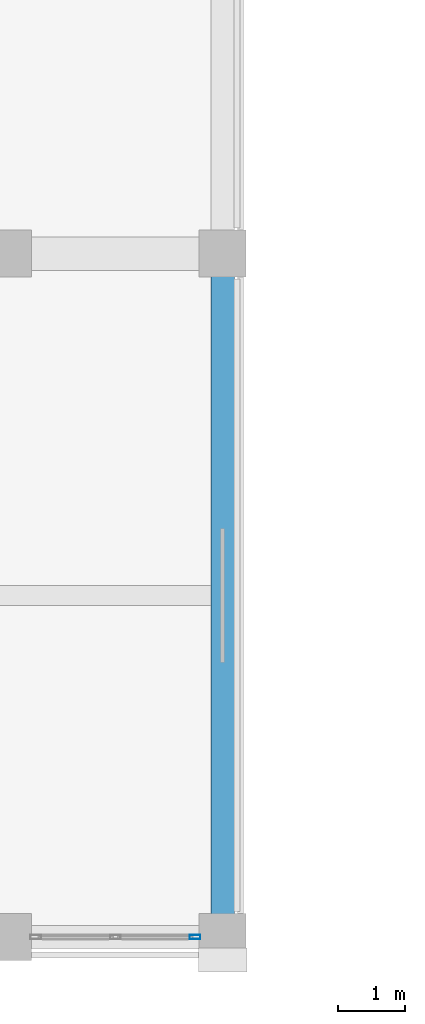
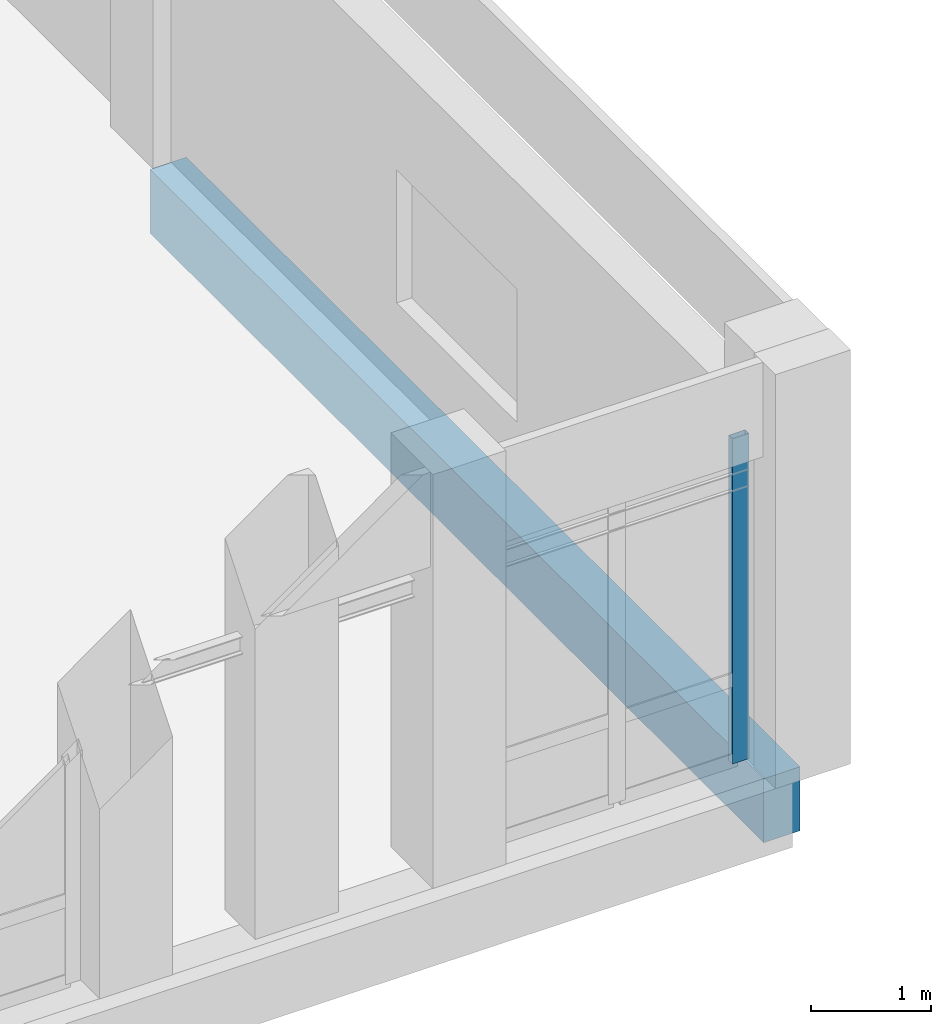
# One storey, part 28 of 185: 1 beam, 1 member, 1 element without a shape of its own.
"""IFC4 building model written with IfcOpenShell, lengths in metres."""

import ifcopenshell
import ifcopenshell.guid

model = None  # the IFC model being written
_history = None  # IfcOwnerHistory: only IFC2X3 demands one
_inside = {}  # id of a spatial element -> (the spatial element, [elements in it])
_under = {}  # id of a project, library or spatial element -> (it, [spatial elements below it])
_declared = {}  # id of a project -> (the project, [libraries it declares])
_typed = {}  # id of a type object -> (the type object, [elements of that type])
_made_of = {}  # id of a material, layer set ... -> (it, [elements and type objects made of it])


def new_model(schema):
    """Start an empty IFC model of exactly this schema.

    Asked for "IFC4X3", IfcOpenShell would pick the latest addendum, in which some entities
    have other attributes; the version numbers below select the first issue.
    IFC2X3 requires an IfcOwnerHistory on every rooted entity: one is made here for all.
    """
    global model, _history
    if schema == "IFC4X3":
        model = ifcopenshell.file(schema_version=(4, 3, 0, 0))
    else:
        model = ifcopenshell.file(schema=schema)
    _inside.clear()
    _under.clear()
    _declared.clear()
    _typed.clear()
    _made_of.clear()
    _history = None
    if model.schema == "IFC2X3":
        org = make("IfcOrganization", Name="unknown")
        user = make(
            "IfcPersonAndOrganization",
            ThePerson=make("IfcPerson", FamilyName="unknown"),
            TheOrganization=org,
        )
        app = make(
            "IfcApplication",
            ApplicationDeveloper=org,
            Version="unknown",
            ApplicationFullName="unknown",
            ApplicationIdentifier="unknown",
        )
        _history = make(
            "IfcOwnerHistory",
            OwningUser=user,
            OwningApplication=app,
            ChangeAction="ADDED",
            CreationDate=0,
        )
    return model


def make(cls, **values):
    """One entity of the class cls with the attributes given. An attribute that is None is left unset."""
    return model.create_entity(
        cls, **{name: value for name, value in values.items() if value is not None}
    )


def rooted(cls, **values):
    """An entity with a GlobalId (a new one), such as an element, a storey or a relation."""
    return make(cls, GlobalId=ifcopenshell.guid.new(), OwnerHistory=_history, **values)


def si_unit(unit_type, name, prefix=None):
    """IfcSIUnit, for example si_unit("LENGTHUNIT", "METRE", prefix="MILLI")."""
    return make("IfcSIUnit", UnitType=unit_type, Prefix=prefix, Name=name)


def assignment(units):
    """IfcUnitAssignment: the units of a project."""
    return None if units is None else make("IfcUnitAssignment", Units=units)


def point(xyz):
    """IfcCartesianPoint."""
    return None if xyz is None else make("IfcCartesianPoint", Coordinates=xyz)


def direction(xyz):
    """IfcDirection."""
    return None if xyz is None else make("IfcDirection", DirectionRatios=xyz)


def frame(location, z_axis=None, x_axis=None):
    """IfcAxis2Placement3D, a coordinate frame: its origin and axes. An axis left out is left unset."""
    return make(
        "IfcAxis2Placement3D",
        Location=point(location),
        Axis=direction(z_axis),
        RefDirection=direction(x_axis),
    )


def frame_2d(location, x_axis=None):
    """IfcAxis2Placement2D, a coordinate frame in the plane: its origin and x axis."""
    return make(
        "IfcAxis2Placement2D", Location=point(location), RefDirection=direction(x_axis)
    )


def origin():
    """The frame at (0, 0, 0) with its axes left unset."""
    return frame((0.0, 0.0, 0.0))


def origin_2d():
    """The frame at (0, 0) in the plane with its x axis left unset."""
    return frame_2d((0.0, 0.0))


def place(relative_to, where):
    """IfcLocalPlacement: puts the frame where relative to a parent placement (None: the world)."""
    return make(
        "IfcLocalPlacement", PlacementRelTo=relative_to, RelativePlacement=where
    )


def context(
    kind, dimensions, precision=None, world=None, true_north=None, identifier=None
):
    """IfcGeometricRepresentationContext, for example the 3D "Model" context."""
    return make(
        "IfcGeometricRepresentationContext",
        ContextIdentifier=identifier,
        ContextType=kind,
        CoordinateSpaceDimension=dimensions,
        Precision=precision,
        WorldCoordinateSystem=world,
        TrueNorth=true_north,
    )


def subcontext(parent, identifier, kind, view, scale=None):
    """IfcGeometricRepresentationSubContext, for example "Body" below "Model"."""
    return make(
        "IfcGeometricRepresentationSubContext",
        ContextIdentifier=identifier,
        ContextType=kind,
        ParentContext=parent,
        TargetScale=scale,
        TargetView=view,
    )


def project(units=None, contexts=None):
    """IfcProject with its units and contexts."""
    return rooted(
        "IfcProject",
        Name="project",
        RepresentationContexts=contexts,
        UnitsInContext=assignment(units),
    )


def spatial(cls, under=None, at=None, **own):
    """A site, building, storey or space (cls), placed at a placement, below another one or the project."""
    s = rooted(cls, ObjectPlacement=at, **own)
    if under is not None:
        _under.setdefault(under.id(), (under, []))[1].append(s)
    return s


def profile(cls, at=None, kind="AREA", **sizes):
    """A parametric profile (cls). Its sizes go by their IFC names, for example OverallWidth=200.0."""
    return make(cls, ProfileType=kind, Position=at, **sizes)


def rectangle(**sizes):
    """IfcRectangleProfileDef."""
    return profile("IfcRectangleProfileDef", **sizes)


def hollow_rectangle(**sizes):
    """IfcRectangleHollowProfileDef."""
    return profile("IfcRectangleHollowProfileDef", **sizes)


def extrude(swept, where, along, depth):
    """IfcExtrudedAreaSolid: the profile swept, set in the frame where, extruded along a direction by depth."""
    return make(
        "IfcExtrudedAreaSolid",
        SweptArea=swept,
        Position=where,
        ExtrudedDirection=direction(along),
        Depth=depth,
    )


def shape(context_of_items, identifier, shape_type, items):
    """IfcShapeRepresentation: the items that make up one representation, for example the "Body"."""
    return make(
        "IfcShapeRepresentation",
        ContextOfItems=context_of_items,
        RepresentationIdentifier=identifier,
        RepresentationType=shape_type,
        Items=items,
    )


def material(Name=None, Category=None):
    """IfcMaterial."""
    return make("IfcMaterial", Name=Name, Category=Category)


def material_profile(
    of_material, cross_section, Name=None, Category=None, Priority=None
):
    """IfcMaterialProfile: a cross section and its material."""
    return make(
        "IfcMaterialProfile",
        Name=Name,
        Material=of_material,
        Profile=cross_section,
        Priority=Priority,
        Category=Category,
    )


def profile_set(profiles, Name=None, composite=None):
    """IfcMaterialProfileSet."""
    return make(
        "IfcMaterialProfileSet",
        Name=Name,
        MaterialProfiles=profiles,
        CompositeProfile=composite,
    )


def made_of(thing, what):
    """Note that an element or type object is made of a material, layer set ...; save() writes the relation."""
    if what is not None:
        _made_of.setdefault(what.id(), (what, []))[1].append(thing)
    return thing


def type_object(cls, material=None, **own):
    """A type object (cls), such as IfcWallType, which elements share."""
    return made_of(rooted(cls, **own), material)


def element(
    cls,
    number,
    at=None,
    inside=None,
    cuts=None,
    type_object=None,
    material=None,
    context=None,
    identifier="Body",
    shape_type=None,
    held_by="IfcProductDefinitionShape",
    body=None,
    shapes=None,
    **own,
):
    """One element of the class cls, such as IfcWall. Its Tag is "e" and its number.

    at: its placement. inside: the storey or other place that contains it. cuts: it is an
    opening in that element (IfcRelVoidsElement). A single representation is given by context,
    identifier, shape_type and body (its items); several are given by shapes. held_by: the class
    of the entity that holds the representations. save() writes the other relations.
    """
    e = rooted(cls, Tag="e%d" % number, ObjectPlacement=at, **own)
    if body is not None:
        shapes = [shape(context, identifier, shape_type, body)]
    if shapes is not None:
        e.Representation = make(held_by, Representations=shapes)
    if inside is not None:
        _inside.setdefault(inside.id(), (inside, []))[1].append(e)
    if cuts is not None:
        rooted(
            "IfcRelVoidsElement", RelatingBuildingElement=cuts, RelatedOpeningElement=e
        )
    if type_object is not None:
        _typed.setdefault(type_object.id(), (type_object, []))[1].append(e)
    return made_of(e, material)


def aggregate(whole, parts):
    """IfcRelAggregates: a whole, such as a stair, and the parts it consists of."""
    return rooted("IfcRelAggregates", RelatingObject=whole, RelatedObjects=parts)


def save(model, path):
    """Write the relations noted so far, then the file.

    IfcRelAggregates (storeys below a building ...), IfcRelContainedInSpatialStructure (elements
    in a storey), IfcRelDefinesByType, IfcRelAssociatesMaterial and IfcRelDeclares: one each for
    every whole, place, type object, material and project.
    """
    for whole, parts in _under.values():
        aggregate(whole, parts)
    for where, things in _inside.values():
        rooted(
            "IfcRelContainedInSpatialStructure",
            RelatedElements=things,
            RelatingStructure=where,
        )
    for kind, things in _typed.values():
        rooted("IfcRelDefinesByType", RelatedObjects=things, RelatingType=kind)
    for what, things in _made_of.values():
        rooted("IfcRelAssociatesMaterial", RelatedObjects=things, RelatingMaterial=what)
    for by, libraries in _declared.values():
        rooted("IfcRelDeclares", RelatingContext=by, RelatedDefinitions=libraries)
    model.write(path)


model = new_model("IFC4")

# Units and contexts
model_context = context("Model", 3, precision=1e-05, world=origin(), true_north=direction((0.0, 1.0)))
body_context = subcontext(model_context, "Body", "Model", "MODEL_VIEW")
ifc_project = project(units=[si_unit("LENGTHUNIT", "METRE"), si_unit("AREAUNIT", "SQUARE_METRE"), si_unit("VOLUMEUNIT", "CUBIC_METRE"), si_unit("PLANEANGLEUNIT", "RADIAN"), si_unit("MASSUNIT", "GRAM", prefix="KILO")], contexts=[model_context])

# Site, building, storey
site_placement = place(None, origin())
site = spatial("IfcSite", under=ifc_project, at=site_placement, CompositionType="ELEMENT")
building_placement = place(site_placement, origin())
building = spatial("IfcBuilding", under=site, at=building_placement, Name="Vondelvale Polytechnic", CompositionType="ELEMENT")
storey_placement = place(building_placement, frame((0.0, 0.0, 9.60009765625)))
storey = spatial("IfcBuildingStorey", under=building, at=storey_placement, Name="L02", CompositionType="ELEMENT", Elevation=9.60009765625)

# Curtain wall, member
ifc_material_1 = material(Name="Anodised extruded aluminium 6063-T6", Category="aluminium")
curtain_wall_type = type_object("IfcCurtainWallType", Name="CW-LIBRARY-BAY", PredefinedType="NOTDEFINED", material=ifc_material_1)
curtain_wall_placement = place(storey_placement, origin())
curtain_wall = element("IfcCurtainWall", 1, at=curtain_wall_placement, inside=storey, type_object=curtain_wall_type, Name="L02 architectural curtain wall CW-02-018", PredefinedType="NOTDEFINED")
ifc_material_profile_1 = material_profile(ifc_material_1, hollow_rectangle(XDim=0.06494140625, YDim=0.159912109375, WallThickness=0.0048828125, at=origin_2d()), Name="CW-MUL-160x65")
ifc_profile_set_1 = profile_set([ifc_material_profile_1], Name="Anodised extruded aluminium 6063-T6")
member_type = type_object("IfcMemberType", Name="CW-MUL-65x160", PredefinedType="MULLION", material=ifc_profile_set_1)
member_placement = place(storey_placement, frame((47.58740234375, 0.0, 0.0), z_axis=(0.0, 0.0, 1.0), x_axis=(0.0, 1.0, 0.0)))
member = element("IfcMember", 2, at=member_placement, type_object=member_type, Name="CW-02-018 mullion 3", PredefinedType="MULLION", context=body_context, shape_type="SweptSolid", body=[
    extrude(hollow_rectangle(XDim=0.06494140625, YDim=0.159912109375, WallThickness=0.0048828125, at=origin_2d()), origin(), (0.0, 0.0, 1.0), 3.2998046875),
])
aggregate(curtain_wall, [member])

# Beam
ifc_material_2 = material(Name="Precast concrete N40 (f'c = 40 MPa)", Category="concrete")
ifc_material_profile_2 = material_profile(ifc_material_2, rectangle(XDim=0.35009765625, YDim=0.64990234375, at=origin_2d()), Name="RC-SPN-350x650")
ifc_profile_set_2 = profile_set([ifc_material_profile_2], Name="Precast concrete N40 (f'c = 40 MPa)")
beam_type = type_object("IfcBeamType", Name="SPN-PRE350x650", PredefinedType="SPANDREL", material=ifc_profile_set_2)
beam_placement = place(storey_placement, frame((48.0, 0.0, -0.60498046875), z_axis=(0.0, 1.0, 0.0), x_axis=(-1.0, 0.0, 0.0)))
element("IfcBeam", 3, at=beam_placement, inside=storey, type_object=beam_type, Name="L02 B SP-02", PredefinedType="SPANDREL", context=body_context, shape_type="SweptSolid", body=[
    extrude(rectangle(XDim=0.35009765625, YDim=0.64990234375, at=origin_2d()), origin(), (0.0, 0.0, 1.0), 10.199951171875),
])

save(model, "model.ifc")
